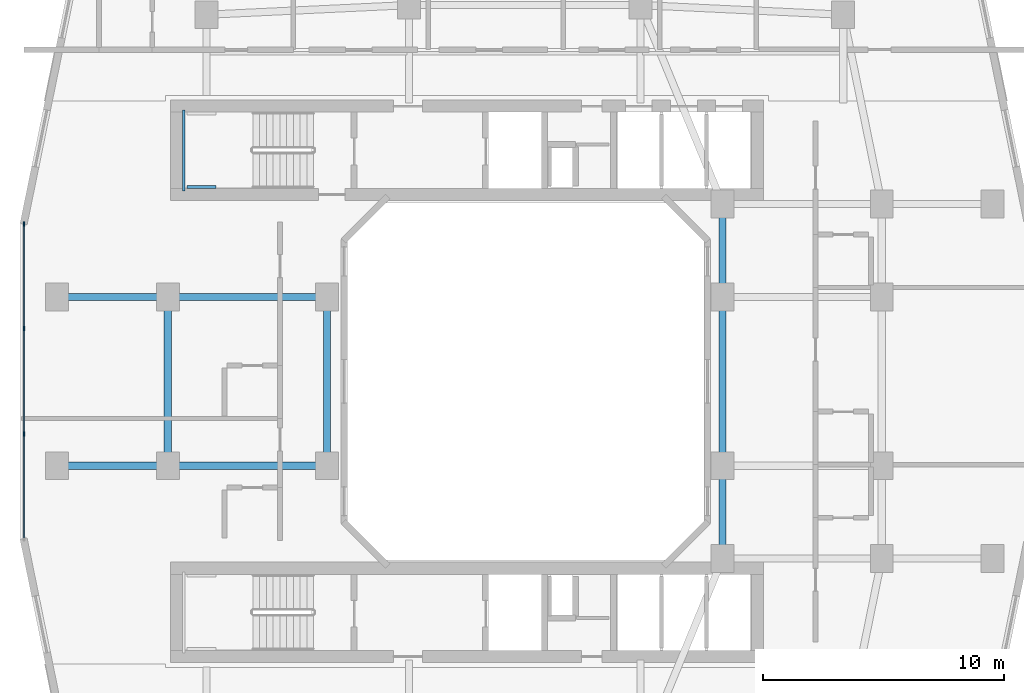
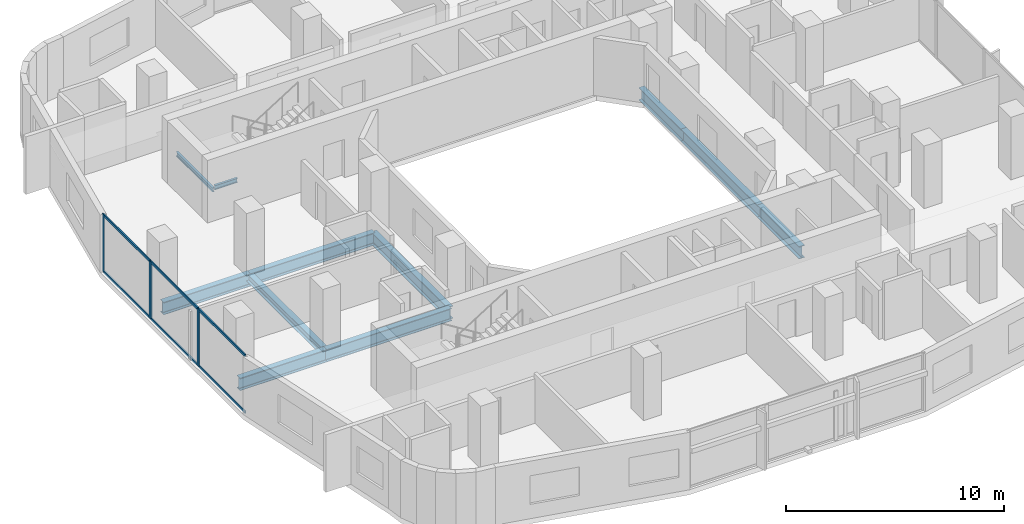
# One storey, part 3 of 27: 11 beams, 9 members, 1 element without a shape of its own.
"""IFC4 building model written with IfcOpenShell, lengths in metres."""

from ifc_helpers import new_model, si_unit, derived_unit, direction, frame, origin, origin_2d, place, context, subcontext, project, spatial, rectangle, i_section, extrude, material, layer, layer_set, material_profile, profile_set, type_object, element, aggregate, save


model = new_model("IFC4")

# Units and contexts
model_context = context("Model", 3, precision=1e-05, world=origin(), true_north=direction((0.0, 1.0)))
body_context = subcontext(model_context, "Body", "Model", "MODEL_VIEW")
ifc_project = project(units=[si_unit("LENGTHUNIT", "METRE"), si_unit("AREAUNIT", "SQUARE_METRE"), si_unit("VOLUMEUNIT", "CUBIC_METRE"), si_unit("PLANEANGLEUNIT", "RADIAN"), si_unit("MASSUNIT", "GRAM", prefix="KILO"), derived_unit("THERMALTRANSMITTANCEUNIT", [(si_unit("POWERUNIT", "WATT"), 1), (si_unit("LENGTHUNIT", "METRE"), -2), (si_unit("THERMODYNAMICTEMPERATUREUNIT", "KELVIN"), -1)])], contexts=[model_context])

# Site, building, storey
site_placement = place(None, origin())
site = spatial("IfcSite", under=ifc_project, at=site_placement, CompositionType="ELEMENT")
building_placement = place(site_placement, origin())
building = spatial("IfcBuilding", under=site, at=building_placement, Name="Kivonza Crest Hotel", CompositionType="ELEMENT")
storey_placement = place(building_placement, frame((0.0, 0.0, 73.0)))
storey = spatial("IfcBuildingStorey", under=building, at=storey_placement, Name="L19", CompositionType="ELEMENT", Elevation=73.0)

# Beams
ifc_material_1 = material(Name="Steel S355", Category="steel")
ifc_material_profile_1 = material_profile(ifc_material_1, i_section(OverallWidth=0.300048828125, OverallDepth=0.449951171875, WebThickness=0.013916015625, FlangeThickness=0.02587890625, FilletRadius=0.027099609375, at=origin_2d()), Name="HEB 450")
ifc_profile_set_1 = profile_set([ifc_material_profile_1], Name="Steel S355")
beam_type_1 = type_object("IfcBeamType", Name="BM-HEB450", PredefinedType="SPANDREL", material=ifc_profile_set_1)
beam_1_placement = place(storey_placement, frame((6.199951171875, 28.5, -0.5048828125), z_axis=(0.0, -1.0, 0.0), x_axis=(1.0, 0.0, 0.0)))
element("IfcBeam", 1, at=beam_1_placement, inside=storey, type_object=beam_type_1, Name="Tower T1 L19 perimeter spandrel W2-W1", PredefinedType="SPANDREL", context=body_context, shape_type="SweptSolid", body=[
    extrude(i_section(OverallWidth=0.300048828125, OverallDepth=0.449951171875, WebThickness=0.013916015625, FlangeThickness=0.02587890625, FilletRadius=0.027099609375, at=origin_2d()), origin(), (0.0, 0.0, 1.0), 7.0),
])
ifc_material_profile_2 = material_profile(ifc_material_1, i_section(OverallWidth=0.300048828125, OverallDepth=0.699951171875, WebThickness=0.01708984375, FlangeThickness=0.031982421875, FilletRadius=0.027099609375, at=origin_2d()), Name="HEB 700")
ifc_profile_set_2 = profile_set([ifc_material_profile_2], Name="Steel S355")
beam_type_2 = type_object("IfcBeamType", Name="BM-HEB700", PredefinedType="BEAM", material=ifc_profile_set_2)
for number, where, z_axis, x_axis, name in (
    (2, (6.199951171875, 21.5, -0.6298828125), (1.0, 0.0, 0.0), (0.0, 1.0, 0.0), "Tower T1 L19 primary girder W1-WL1"),
    (3, (6.199951171875, 28.5, -0.6298828125), (1.0, 0.0, 0.0), (0.0, 1.0, 0.0), "Tower T1 L19 primary girder W2-WL2"),
):
    element("IfcBeam", number, at=place(storey_placement, frame(where, z_axis=z_axis, x_axis=x_axis)), inside=storey, type_object=beam_type_2, Name=name, PredefinedType="BEAM", context=body_context, shape_type="SweptSolid", body=[
        extrude(i_section(OverallWidth=0.300048828125, OverallDepth=0.699951171875, WebThickness=0.01708984375, FlangeThickness=0.031982421875, FilletRadius=0.027099609375, at=origin_2d()), origin(), (0.0, 0.0, 1.0), 6.60009765625),
    ])
for number, where, z_axis, x_axis, name in (
    (4, (12.800048828125, 21.5, -0.6298828125), (0.0, 1.0, 0.0), (-1.0, 0.0, 0.0), "Tower T1 L19 primary girder WL1-WL2"),
    (5, (29.199951171875, 21.5, -0.6298828125), (0.0, 1.0, 0.0), (-1.0, 0.0, 0.0), "Tower T1 L19 primary girder WR1-WR2"),
):
    element("IfcBeam", number, at=place(storey_placement, frame(where, z_axis=z_axis, x_axis=x_axis)), inside=storey, type_object=beam_type_2, Name=name, PredefinedType="BEAM", context=body_context, shape_type="SweptSolid", body=[
        extrude(i_section(OverallWidth=0.300048828125, OverallDepth=0.699951171875, WebThickness=0.01708984375, FlangeThickness=0.031982421875, FilletRadius=0.027099609375, at=origin_2d()), origin(), (0.0, 0.0, 1.0), 7.0),
    ])
for number, where, z_axis, x_axis, name in (
    (6, (29.199951171875, 17.64990234375, -0.6298828125), (0.0, 1.0, 0.0), (-1.0, 0.0, 0.0), "Tower T1 L19 primary girder TSE-WR1"),
    (7, (29.199951171875, 28.5, -0.6298828125), (0.0, 1.0, 0.0), (-1.0, 0.0, 0.0), "Tower T1 L19 primary girder WR2-TNE"),
):
    element("IfcBeam", number, at=place(storey_placement, frame(where, z_axis=z_axis, x_axis=x_axis)), inside=storey, type_object=beam_type_2, Name=name, PredefinedType="BEAM", context=body_context, shape_type="SweptSolid", body=[
        extrude(i_section(OverallWidth=0.300048828125, OverallDepth=0.699951171875, WebThickness=0.01708984375, FlangeThickness=0.031982421875, FilletRadius=0.027099609375, at=origin_2d()), origin(), (0.0, 0.0, 1.0), 3.85009765625),
    ])
for number, where, z_axis, x_axis, name in (
    (8, (1.60009765625, 21.5, -0.6298828125), (1.0, 0.0, 0.0), (0.0, 1.0, 0.0), "Tower T1 L19 outer bay girder ZW1"),
    (9, (1.60009765625, 28.5, -0.6298828125), (1.0, 0.0, 0.0), (0.0, 1.0, 0.0), "Tower T1 L19 outer bay girder ZW2"),
):
    element("IfcBeam", number, at=place(storey_placement, frame(where, z_axis=z_axis, x_axis=x_axis)), inside=storey, type_object=beam_type_2, Name=name, PredefinedType="BEAM", context=body_context, shape_type="SweptSolid", body=[
        extrude(i_section(OverallWidth=0.300048828125, OverallDepth=0.699951171875, WebThickness=0.01708984375, FlangeThickness=0.031982421875, FilletRadius=0.027099609375, at=origin_2d()), origin(), (0.0, 0.0, 1.0), 4.599853515625),
    ])
ifc_material_profile_3 = material_profile(ifc_material_1, i_section(OverallWidth=0.1201171875, OverallDepth=0.239990234375, WebThickness=0.006103515625, FlangeThickness=0.009765625, FilletRadius=0.014892578125, at=origin_2d()), Name="IPE 240")
ifc_profile_set_3 = profile_set([ifc_material_profile_3], Name="Steel S355")
beam_type_3 = type_object("IfcBeamType", Name="BM-LLDG-240", PredefinedType="BEAM", material=ifc_profile_set_3)
beam_2_placement = place(storey_placement, frame((6.860107421875, 32.89990234375, 1.429931640625), z_axis=(0.0, 1.0, 0.0), x_axis=(-1.0, 0.0, 0.0)))
element("IfcBeam", 10, at=beam_2_placement, inside=storey, type_object=beam_type_3, Name="Stair ST-T1-N L19 West landing corbel", PredefinedType="BEAM", context=body_context, shape_type="SweptSolid", body=[
    extrude(i_section(OverallWidth=0.1201171875, OverallDepth=0.239990234375, WebThickness=0.006103515625, FlangeThickness=0.009765625, FilletRadius=0.014892578125, at=origin_2d()), origin(), (0.0, 0.0, 1.0), 3.360107421875),
])
beam_3_placement = place(storey_placement, frame((6.989990234375, 33.06005859375, 1.429931640625), z_axis=(1.0, 0.0, 0.0), x_axis=(0.0, 1.0, 0.0)))
element("IfcBeam", 11, at=beam_3_placement, inside=storey, type_object=beam_type_3, Name="Stair ST-T1-N L19 South landing corbel", PredefinedType="BEAM", context=body_context, shape_type="SweptSolid", body=[
    extrude(i_section(OverallWidth=0.1201171875, OverallDepth=0.239990234375, WebThickness=0.006103515625, FlangeThickness=0.009765625, FilletRadius=0.014892578125, at=origin_2d()), origin(), (0.0, 0.0, 1.0), 1.2099609375),
])

# Curtain wall, members
ifc_material_2 = material(Name="Anodised bronze aluminium and low-E double glazing", Category="aluminium")
ifc_layer = layer(ifc_material_2, 0.179931640625)
ifc_layer_set = layer_set([ifc_layer], Name="Anodised bronze aluminium and low-E double glazing")
curtain_wall_type = type_object("IfcCurtainWallType", Name="CW-SYS-2", PredefinedType="NOTDEFINED", material=ifc_layer_set)
curtain_wall_placement = place(storey_placement, origin())
curtain_wall = element("IfcCurtainWall", 12, at=curtain_wall_placement, inside=storey, type_object=curtain_wall_type, Name="L19 unitised curtain wall CW-T1-L19-35", PredefinedType="NOTDEFINED")
ifc_material_3 = material(Name="Anodised bronze aluminium", Category="aluminium")
ifc_material_profile_4 = material_profile(ifc_material_3, rectangle(XDim=0.06494140625, YDim=0.179931640625, at=origin_2d()), Name="CW-M 65x180")
ifc_profile_set_4 = profile_set([ifc_material_profile_4], Name="Anodised bronze aluminium")
member_type_1 = type_object("IfcMemberType", Name="CW-MUL-65x180", PredefinedType="MULLION", material=ifc_profile_set_4)
member_1_placement = place(storey_placement, frame((0.239990234375, 31.527587890625, 0.0), z_axis=(0.0, 0.0, 1.0), x_axis=(1.0, 0.0, 0.0)))
member_1 = element("IfcMember", 13, at=member_1_placement, type_object=member_type_1, Name="CW-2 mullion 1", PredefinedType="MULLION", context=body_context, shape_type="SweptSolid", body=[
    extrude(rectangle(XDim=0.06494140625, YDim=0.179931640625, at=origin_2d()), origin(), (0.0, 0.0, 1.0), 3.219970703125),
])
member_2_placement = place(storey_placement, frame((0.239990234375, 27.186767578125, 0.0), z_axis=(0.0, 0.0, 1.0), x_axis=(1.0, 0.0, 0.0)))
member_2 = element("IfcMember", 14, at=member_2_placement, type_object=member_type_1, Name="CW-2 mullion 2", PredefinedType="MULLION", context=body_context, shape_type="SweptSolid", body=[
    extrude(rectangle(XDim=0.06494140625, YDim=0.179931640625, at=origin_2d()), origin(), (0.0, 0.0, 1.0), 3.219970703125),
])
member_3_placement = place(storey_placement, frame((0.239990234375, 22.813232421875, 0.0), z_axis=(0.0, 0.0, 1.0), x_axis=(1.0, 0.0, 0.0)))
member_3 = element("IfcMember", 15, at=member_3_placement, type_object=member_type_1, Name="CW-2 mullion 3", PredefinedType="MULLION", context=body_context, shape_type="SweptSolid", body=[
    extrude(rectangle(XDim=0.06494140625, YDim=0.179931640625, at=origin_2d()), origin(), (0.0, 0.0, 1.0), 3.219970703125),
])
ifc_material_profile_5 = material_profile(ifc_material_3, rectangle(XDim=0.06494140625, YDim=0.139892578125, at=origin_2d()), Name="CW-T 65x140")
ifc_profile_set_5 = profile_set([ifc_material_profile_5], Name="Anodised bronze aluminium")
member_type_2 = type_object("IfcMemberType", Name="CW-TRN-65x140", PredefinedType="USERDEFINED", material=ifc_profile_set_5)
member_4_placement = place(storey_placement, frame((0.239990234375, 31.4951171875, 0.032470703125), z_axis=(0.0, -1.0, 0.0), x_axis=(1.0, 0.0, 0.0)))
member_4 = element("IfcMember", 16, at=member_4_placement, type_object=member_type_2, Name="CW-2 transom 1.1", ObjectType="TRANSOM", PredefinedType="USERDEFINED", context=body_context, shape_type="SweptSolid", body=[
    extrude(rectangle(XDim=0.06494140625, YDim=0.139892578125, at=origin_2d()), origin(), (0.0, 0.0, 1.0), 4.27587890625),
])
member_5_placement = place(storey_placement, frame((0.239990234375, 31.4951171875, 3.1875), z_axis=(0.0, -1.0, 0.0), x_axis=(1.0, 0.0, 0.0)))
member_5 = element("IfcMember", 17, at=member_5_placement, type_object=member_type_2, Name="CW-2 transom 1.2", ObjectType="TRANSOM", PredefinedType="USERDEFINED", context=body_context, shape_type="SweptSolid", body=[
    extrude(rectangle(XDim=0.06494140625, YDim=0.139892578125, at=origin_2d()), origin(), (0.0, 0.0, 1.0), 4.27587890625),
])
member_6_placement = place(storey_placement, frame((0.239990234375, 27.154052734375, 0.032470703125), z_axis=(0.0, -1.0, 0.0), x_axis=(1.0, 0.0, 0.0)))
member_6 = element("IfcMember", 18, at=member_6_placement, type_object=member_type_2, Name="CW-2 transom 2.1", ObjectType="TRANSOM", PredefinedType="USERDEFINED", context=body_context, shape_type="SweptSolid", body=[
    extrude(rectangle(XDim=0.06494140625, YDim=0.139892578125, at=origin_2d()), origin(), (0.0, 0.0, 1.0), 4.30810546875),
])
member_7_placement = place(storey_placement, frame((0.239990234375, 27.154052734375, 3.1875), z_axis=(0.0, -1.0, 0.0), x_axis=(1.0, 0.0, 0.0)))
member_7 = element("IfcMember", 19, at=member_7_placement, type_object=member_type_2, Name="CW-2 transom 2.2", ObjectType="TRANSOM", PredefinedType="USERDEFINED", context=body_context, shape_type="SweptSolid", body=[
    extrude(rectangle(XDim=0.06494140625, YDim=0.139892578125, at=origin_2d()), origin(), (0.0, 0.0, 1.0), 4.30810546875),
])
member_8_placement = place(storey_placement, frame((0.239990234375, 22.78076171875, 0.032470703125), z_axis=(0.0, -1.0, 0.0), x_axis=(1.0, 0.0, 0.0)))
member_8 = element("IfcMember", 20, at=member_8_placement, type_object=member_type_2, Name="CW-2 transom 3.1", ObjectType="TRANSOM", PredefinedType="USERDEFINED", context=body_context, shape_type="SweptSolid", body=[
    extrude(rectangle(XDim=0.06494140625, YDim=0.139892578125, at=origin_2d()), origin(), (0.0, 0.0, 1.0), 4.27587890625),
])
member_9_placement = place(storey_placement, frame((0.239990234375, 22.78076171875, 3.1875), z_axis=(0.0, -1.0, 0.0), x_axis=(1.0, 0.0, 0.0)))
member_9 = element("IfcMember", 21, at=member_9_placement, type_object=member_type_2, Name="CW-2 transom 3.2", ObjectType="TRANSOM", PredefinedType="USERDEFINED", context=body_context, shape_type="SweptSolid", body=[
    extrude(rectangle(XDim=0.06494140625, YDim=0.139892578125, at=origin_2d()), origin(), (0.0, 0.0, 1.0), 4.27587890625),
])
aggregate(curtain_wall, [member_1, member_2, member_3, member_4, member_5, member_6, member_7, member_8, member_9])

save(model, "model.ifc")
